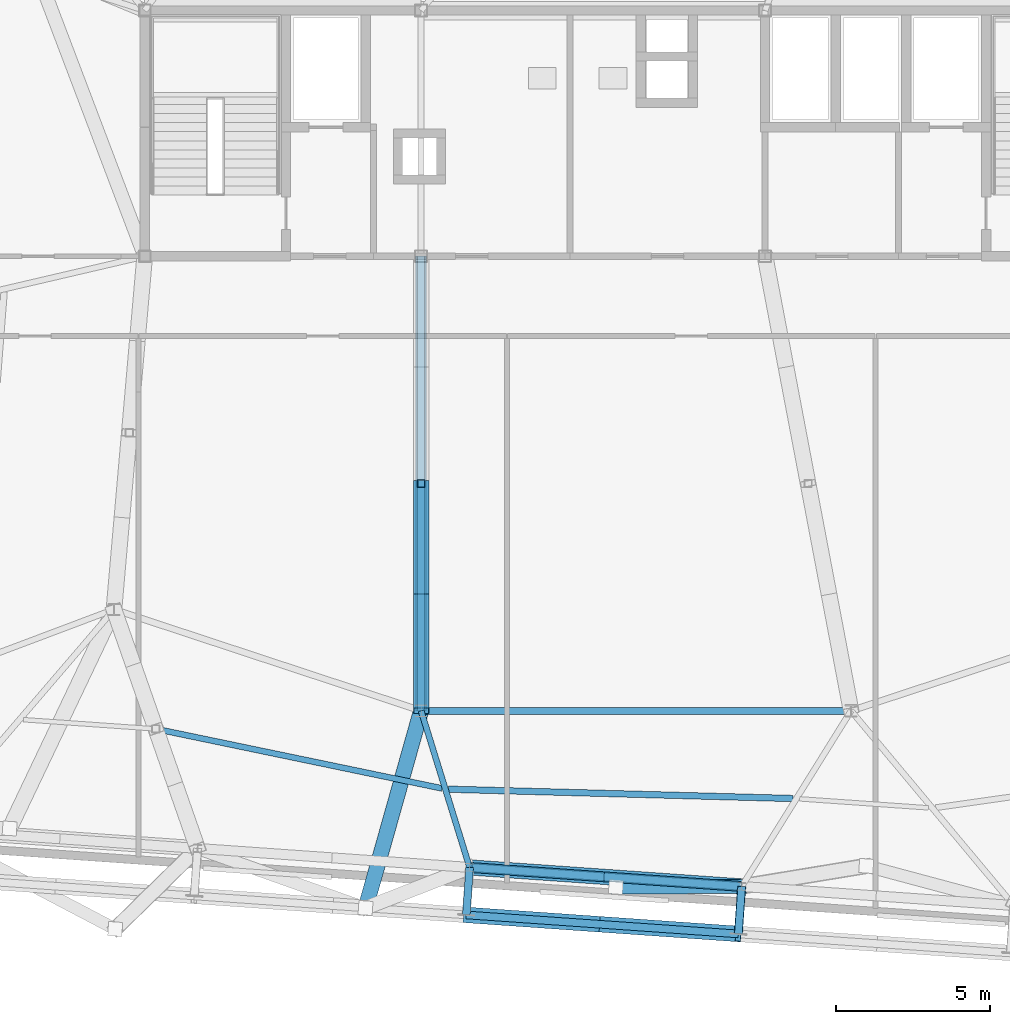
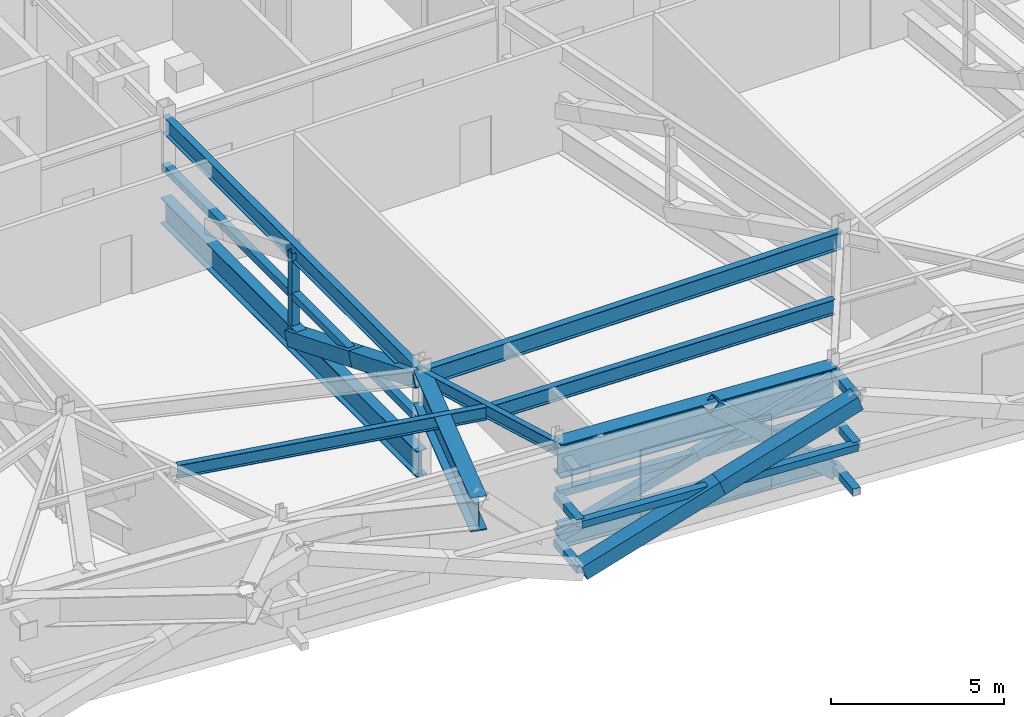
# One storey, part 7 of 24: 19 members, 7 beams.
"""IFC4 building model written with IfcOpenShell, lengths in metres."""

from ifc_helpers import new_model, si_unit, direction, frame, origin, origin_2d, place, context, subcontext, project, spatial, hollow_rectangle, i_section, extrude, source, transform, mapped, material, material_profile, profile_set, type_object, element, save


model = new_model("IFC4")

# Units and contexts
model_context = context("Model", 3, precision=1e-05, world=origin(), true_north=direction((0.0, 1.0)))
body_context = subcontext(model_context, "Body", "Model", "MODEL_VIEW")
ifc_project = project(units=[si_unit("LENGTHUNIT", "METRE"), si_unit("AREAUNIT", "SQUARE_METRE"), si_unit("VOLUMEUNIT", "CUBIC_METRE"), si_unit("PLANEANGLEUNIT", "RADIAN"), si_unit("MASSUNIT", "GRAM", prefix="KILO")], contexts=[model_context])

# Site, building, storey
site_placement = place(None, origin())
site = spatial("IfcSite", under=ifc_project, at=site_placement, CompositionType="ELEMENT")
building_placement = place(site_placement, origin())
building = spatial("IfcBuilding", under=site, at=building_placement, Name="Taldren Reach Tower", CompositionType="ELEMENT")
storey_placement = place(building_placement, frame((0.0, 0.0, 164.5)))
storey = spatial("IfcBuildingStorey", under=building, at=storey_placement, Name="L50", CompositionType="ELEMENT", Elevation=164.5)

# Beams
ifc_material_1 = material(Name="Steel Gr 350 (350PLUS)", Category="steel")
ifc_material_profile_1 = material_profile(ifc_material_1, i_section(OverallWidth=0.22802734375, OverallDepth=0.60205078125, WebThickness=0.010498046875, FlangeThickness=0.014892578125, at=origin_2d()), Name="610UB101")
ifc_profile_set_1 = profile_set([ifc_material_profile_1], Name="Steel Gr 350 (350PLUS)")
beam_type_1 = type_object("IfcBeamType", Name="BM-UB610B", PredefinedType="BEAM", material=ifc_profile_set_1)
shared_shape_1 = source(origin(), body_context, "Body", "SweptSolid", [
    extrude(i_section(OverallWidth=0.22802734375, OverallDepth=0.60205078125, WebThickness=0.010498046875, FlangeThickness=0.014892578125, at=origin_2d()), origin(), (0.0, 0.0, 1.0), 14.0),
])
beam_1_placement = place(storey_placement, frame((28.0, 9.199951171875, 3.47900390625), z_axis=(1.0, 0.0, 0.0), x_axis=(0.0, 1.0, 0.0)))
element("IfcBeam", 1, at=beam_1_placement, inside=storey, type_object=beam_type_1, Name="Core-spine girder L50-SP11", PredefinedType="BEAM", context=body_context, shape_type="MappedRepresentation", body=[
    mapped(shared_shape_1, transform((0.0, 0.0, 0.0), scale=1.0)),
])
shared_shape_2 = source(origin(), body_context, "Body", "SweptSolid", [
    extrude(i_section(OverallWidth=0.22802734375, OverallDepth=0.60205078125, WebThickness=0.010498046875, FlangeThickness=0.014892578125, at=origin_2d()), origin(), (0.0, 0.0, 1.0), 14.800048828125),
])
beam_2_placement = place(storey_placement, frame((28.0, 24.0, 3.47900390625), z_axis=(0.0, -1.0, 0.0), x_axis=(1.0, 0.0, 0.0)))
element("IfcBeam", 2, at=beam_2_placement, inside=storey, type_object=beam_type_1, Name="Core-spine girder L50-SP14", PredefinedType="BEAM", context=body_context, shape_type="MappedRepresentation", body=[
    mapped(shared_shape_2, transform((0.0, 0.0, 0.0), scale=1.0)),
])

# Members
ifc_material_2 = material(Name="Steel Gr 350 (C350L0)", Category="steel")
ifc_material_profile_2 = material_profile(ifc_material_2, hollow_rectangle(XDim=0.25, YDim=0.25, WallThickness=0.010009765625, at=origin_2d()), Name="250x250x10.0SHS")
ifc_profile_set_2 = profile_set([ifc_material_profile_2], Name="Steel Gr 350 (C350L0)")
member_type_1 = type_object("IfcMemberType", Name="MB-POST250", PredefinedType="POST", material=ifc_profile_set_2)
shared_shape_3 = source(origin(), body_context, "Body", "SweptSolid", [
    extrude(hollow_rectangle(XDim=0.25, YDim=0.25, WallThickness=0.010009765625, at=origin_2d()), origin(), (0.0, 0.0, 1.0), 1.5048828125),
])
member_1_placement = place(storey_placement, frame((28.0, 16.60009765625, 1.955078125), z_axis=(0.0, 0.0, 1.0), x_axis=(1.0, 0.0, 0.0)))
element("IfcMember", 3, at=member_1_placement, inside=storey, type_object=member_type_1, Name="Outrigger Transfer Truss Vertical Post OT-M1 L50", PredefinedType="POST", context=body_context, shape_type="MappedRepresentation", body=[
    mapped(shared_shape_3, transform((0.0, 0.0, 0.0), scale=1.0)),
])
shared_shape_4 = source(origin(), body_context, "Body", "SweptSolid", [
    extrude(hollow_rectangle(XDim=0.25, YDim=0.25, WallThickness=0.010009765625, at=origin_2d()), origin(), (0.0, 0.0, 1.0), 1.505126953125),
])
member_2_placement = place(storey_placement, frame((28.0, 16.60009765625, 0.449951171875), z_axis=(0.0, 0.0, 1.0), x_axis=(1.0, 0.0, 0.0)))
element("IfcMember", 4, at=member_2_placement, inside=storey, type_object=member_type_1, Name="Outrigger Transfer Truss Vertical Post OT-M1 L50", PredefinedType="POST", context=body_context, shape_type="MappedRepresentation", body=[
    mapped(shared_shape_4, transform((0.0, 0.0, 0.0), scale=1.0)),
])
ifc_material_profile_3 = material_profile(ifc_material_1, i_section(OverallWidth=0.35009765625, OverallDepth=0.916015625, WebThickness=0.013916015625, FlangeThickness=0.028076171875, at=origin_2d()), Name="900WB257")
ifc_profile_set_3 = profile_set([ifc_material_profile_3], Name="Steel Gr 350 (350PLUS)")
member_type_2 = type_object("IfcMemberType", Name="MB-CH900", PredefinedType="CHORD", material=ifc_profile_set_3)
shared_shape_5 = source(origin(), body_context, "Body", "SweptSolid", [
    extrude(i_section(OverallWidth=0.35009765625, OverallDepth=0.916015625, WebThickness=0.013916015625, FlangeThickness=0.028076171875, at=origin_2d()), origin(), (0.0, 0.0, 1.0), 14.800048828125),
])
member_3_placement = place(storey_placement, frame((28.0, 24.0, 0.449951171875), z_axis=(0.0, -1.0, 0.0), x_axis=(1.0, 0.0, 0.0)))
element("IfcMember", 5, at=member_3_placement, inside=storey, type_object=member_type_2, Name="Outrigger Transfer Truss Bottom Chord OT-M1 L50", PredefinedType="CHORD", context=body_context, shape_type="MappedRepresentation", body=[
    mapped(shared_shape_5, transform((0.0, 0.0, 0.0), scale=1.0)),
])
shared_shape_6 = source(origin(), body_context, "Body", "SweptSolid", [
    extrude(hollow_rectangle(XDim=0.25, YDim=0.25, WallThickness=0.010009765625, at=origin_2d()), origin(), (0.0, 0.0, 1.0), 14.800048828125),
])
member_4_placement = place(storey_placement, frame((28.0, 24.0, 1.955078125), z_axis=(0.0, -1.0, 0.0), x_axis=(1.0, 0.0, 0.0)))
element("IfcMember", 6, at=member_4_placement, inside=storey, type_object=member_type_1, Name="Outrigger Transfer Truss Mid Chord OT-M1 L50", PredefinedType="POST", context=body_context, shape_type="MappedRepresentation", body=[
    mapped(shared_shape_6, transform((0.0, 0.0, 0.0), scale=1.0)),
])
ifc_material_3 = material(Name="Steel Gr 450 (C450L0)", Category="steel")
ifc_material_profile_4 = material_profile(ifc_material_3, hollow_rectangle(XDim=0.510009765625, YDim=0.510009765625, WallThickness=0.02001953125, at=origin_2d()), Name="510x510x20.0SHS")
ifc_profile_set_4 = profile_set([ifc_material_profile_4], Name="Steel Gr 450 (C450L0)")
member_type_3 = type_object("IfcMemberType", Name="MB-EXO508", PredefinedType="BRACE", material=ifc_profile_set_4)
shared_shape_7 = source(origin(), body_context, "Body", "SweptSolid", [
    extrude(hollow_rectangle(XDim=0.510009765625, YDim=0.510009765625, WallThickness=0.02001953125, at=origin_2d()), origin(), (0.0, 0.0, 1.0), 3.994384765625),
])
member_5_placement = place(storey_placement, frame((28.0, 12.89990234375, 1.955078125), z_axis=(0.0, -0.926311309754, 0.376759017705), x_axis=(1.0, 0.0, 0.0)))
element("IfcMember", 7, at=member_5_placement, inside=storey, type_object=member_type_3, Name="Outrigger Transfer Truss Diagonal OT-M1B L50", PredefinedType="BRACE", context=body_context, shape_type="MappedRepresentation", body=[
    mapped(shared_shape_7, transform((0.0, 0.0, 0.0), scale=1.0)),
])
shared_shape_8 = source(origin(), body_context, "Body", "SweptSolid", [
    extrude(hollow_rectangle(XDim=0.510009765625, YDim=0.510009765625, WallThickness=0.02001953125, at=origin_2d()), origin(), (0.0, 0.0, 1.0), 3.99462890625),
])
member_6_placement = place(storey_placement, frame((28.0, 16.60009765625, 0.449951171875), z_axis=(0.0, -0.926298654902, 0.376790129815), x_axis=(1.0, 0.0, 0.0)))
element("IfcMember", 8, at=member_6_placement, inside=storey, type_object=member_type_3, Name="Outrigger Transfer Truss Diagonal OT-M1B L50", PredefinedType="BRACE", context=body_context, shape_type="MappedRepresentation", body=[
    mapped(shared_shape_8, transform((0.0, 0.0, 0.0), scale=1.0)),
])
ifc_material_profile_5 = material_profile(ifc_material_3, hollow_rectangle(XDim=0.27490234375, YDim=0.27490234375, WallThickness=0.00927734375, at=origin_2d()), Name="275x275x9.3SHS")
ifc_profile_set_5 = profile_set([ifc_material_profile_5], Name="Steel Gr 450 (C450L0)")
member_type_4 = type_object("IfcMemberType", Name="MB-TIE273", PredefinedType="STRUT", material=ifc_profile_set_5)
shared_shape_9 = source(origin(), body_context, "Body", "SweptSolid", [
    extrude(hollow_rectangle(XDim=0.27490234375, YDim=0.27490234375, WallThickness=0.00927734375, at=origin_2d()), origin(), (0.0, 0.0, 1.0), 1.550048828125),
])
member_7_placement = place(storey_placement, frame((38.438720703125, 3.480224609375, 3.5), z_axis=(-0.06976957191, -0.99756313426, 0.0), x_axis=(0.99756313426, -0.06976957191, 0.0)))
element("IfcMember", 9, at=member_7_placement, inside=storey, type_object=member_type_4, Name="Exoskeleton diaphragm tie strut B3-S4 L50", PredefinedType="STRUT", context=body_context, shape_type="MappedRepresentation", body=[
    mapped(shared_shape_9, transform((0.0, 0.0, 0.0), scale=1.0)),
])
shared_shape_10 = source(origin(), body_context, "Body", "SweptSolid", [
    extrude(hollow_rectangle(XDim=0.25, YDim=0.25, WallThickness=0.010009765625, at=origin_2d()), origin(), (0.0, 0.0, 1.0), 1.550048828125),
])
for number, where, z_axis, x_axis, name in (
    (10, (29.580322265625, 4.099609375, 0.219970703125), (-0.06976957191, -0.99756313426, 0.0), (0.99756313426, -0.06976957191, 0.0), "Exoskeleton base diaphragm tie strut B3-S3 L50"),
    (11, (38.438720703125, 3.480224609375, 0.219970703125), (-0.06976957191, -0.99756313426, 0.0), (0.99756313426, -0.06976957191, 0.0), "Exoskeleton base diaphragm tie strut B3-S4 L50"),
    (12, (29.580322265625, 4.099609375, 1.860107421875), (-0.06976957191, -0.99756313426, 0.0), (0.99756313426, -0.06976957191, 0.0), "Exoskeleton mid-tier diaphragm tie B3-S3 L50"),
    (13, (38.438720703125, 3.480224609375, 1.860107421875), (-0.06976957191, -0.99756313426, 0.0), (0.99756313426, -0.06976957191, 0.0), "Exoskeleton mid-tier diaphragm tie B3-S4 L50"),
):
    element("IfcMember", number, at=place(storey_placement, frame(where, z_axis=z_axis, x_axis=x_axis)), inside=storey, type_object=member_type_1, Name=name, PredefinedType="POST", context=body_context, shape_type="MappedRepresentation", body=[
        mapped(shared_shape_10, transform((0.0, 0.0, 0.0), scale=1.0)),
    ])

# Beams
ifc_material_profile_6 = material_profile(ifc_material_1, i_section(OverallWidth=0.19091796875, OverallDepth=0.4599609375, WebThickness=0.010009765625, FlangeThickness=0.01611328125, at=origin_2d()), Name="460UB82.1")
ifc_profile_set_6 = profile_set([ifc_material_profile_6], Name="Steel Gr 350 (350PLUS)")
beam_type_2 = type_object("IfcBeamType", Name="BM-UB460A", PredefinedType="BEAM", material=ifc_profile_set_6)
shared_shape_11 = source(origin(), body_context, "Body", "SweptSolid", [
    extrude(i_section(OverallWidth=0.19091796875, OverallDepth=0.4599609375, WebThickness=0.010009765625, FlangeThickness=0.01611328125, at=origin_2d()), origin(), (0.0, 0.0, 1.0), 5.339599609375),
])
beam_3_placement = place(storey_placement, frame((28.0, 9.199951171875, 3.550048828125), z_axis=(0.295964865482, -0.955198826632, 0.0), x_axis=(0.955198826632, 0.295964865482, 0.0)))
element("IfcBeam", 14, at=beam_3_placement, inside=storey, type_object=beam_type_2, Name="Primary floor girder B3-S3 L50", PredefinedType="BEAM", context=body_context, shape_type="MappedRepresentation", body=[
    mapped(shared_shape_11, transform((0.0, 0.0, 0.0), scale=1.0)),
])
shared_shape_12 = source(origin(), body_context, "Body", "SweptSolid", [
    extrude(i_section(OverallWidth=0.19091796875, OverallDepth=0.4599609375, WebThickness=0.010009765625, FlangeThickness=0.01611328125, at=origin_2d()), origin(), (0.0, 0.0, 1.0), 9.410400390625),
])
beam_4_placement = place(storey_placement, frame((19.469970703125, 8.5869140625, 3.550048828125), z_axis=(0.97907399109, -0.20350459447, 0.0), x_axis=(0.20350459447, 0.97907399109, 0.0)))
element("IfcBeam", 15, at=beam_4_placement, inside=storey, type_object=beam_type_2, Name="Secondary floor beam B3 J2 L50", PredefinedType="BEAM", context=body_context, shape_type="MappedRepresentation", body=[
    mapped(shared_shape_12, transform((0.0, 0.0, 0.0), scale=1.0)),
])
ifc_material_profile_7 = material_profile(ifc_material_1, i_section(OverallWidth=0.208984375, OverallDepth=0.532958984375, WebThickness=0.01025390625, FlangeThickness=0.015625, at=origin_2d()), Name="530UB92.4")
ifc_profile_set_7 = profile_set([ifc_material_profile_7], Name="Steel Gr 350 (350PLUS)")
beam_type_3 = type_object("IfcBeamType", Name="BM-UB530A", PredefinedType="BEAM", material=ifc_profile_set_7)
shared_shape_13 = source(origin(), body_context, "Body", "SweptSolid", [
    extrude(i_section(OverallWidth=0.208984375, OverallDepth=0.532958984375, WebThickness=0.01025390625, FlangeThickness=0.015625, at=origin_2d()), origin(), (0.0, 0.0, 1.0), 11.221923828125),
])
beam_5_placement = place(storey_placement, frame((28.890869140625, 6.64697265625, 3.513427734375), z_axis=(0.999633109536, -0.027085906272, 0.0), x_axis=(0.027085906272, 0.999633109536, 0.0)))
element("IfcBeam", 16, at=beam_5_placement, inside=storey, type_object=beam_type_3, Name="Secondary floor beam B3 J3 L50", PredefinedType="BEAM", context=body_context, shape_type="MappedRepresentation", body=[
    mapped(shared_shape_13, transform((0.0, 0.0, 0.0), scale=1.0)),
])

# Members
shared_shape_14 = source(origin(), body_context, "Body", "SweptSolid", [
    extrude(hollow_rectangle(XDim=0.25, YDim=0.25, WallThickness=0.010009765625, at=origin_2d()), origin(), (0.0, 0.0, 1.0), 8.880126953125),
])
for number, where, z_axis, x_axis, name in (
    (17, (29.580322265625, 4.099609375, 1.955078125), (0.997564479639, -0.069750333063, 0.0), (0.069750333063, 0.997564479639, 0.0), "Belt Truss Transfer Mid Chord S3 L50"),
    (18, (29.47216796875, 2.55322265625, 1.860107421875), (0.997564479639, -0.069750333063, 0.0), (0.069750333063, 0.997564479639, 0.0), "Exoskeleton mid-height ring chord B3-S3 L50"),
):
    element("IfcMember", number, at=place(storey_placement, frame(where, z_axis=z_axis, x_axis=x_axis)), inside=storey, type_object=member_type_1, Name=name, PredefinedType="POST", context=body_context, shape_type="MappedRepresentation", body=[
        mapped(shared_shape_14, transform((0.0, 0.0, 0.0), scale=1.0)),
    ])

# Beams
ifc_material_profile_8 = material_profile(ifc_material_1, i_section(OverallWidth=0.5, OverallDepth=1.199951171875, WebThickness=0.01611328125, FlangeThickness=0.0400390625, at=origin_2d()), Name="1200WB455")
ifc_profile_set_8 = profile_set([ifc_material_profile_8], Name="Steel Gr 350 (350PLUS)")
beam_type_4 = type_object("IfcBeamType", Name="BM-WB1200", PredefinedType="BEAM", material=ifc_profile_set_8)
shared_shape_15 = source(origin(), body_context, "Body", "SweptSolid", [
    extrude(i_section(OverallWidth=0.5, OverallDepth=1.199951171875, WebThickness=0.01611328125, FlangeThickness=0.0400390625, at=origin_2d()), origin(), (0.0, 0.0, 1.0), 8.880126953125),
])
beam_6_placement = place(storey_placement, frame((29.580322265625, 4.099609375, 3.179931640625), z_axis=(0.997564479639, -0.069750333063, 0.0), x_axis=(0.069750333063, 0.997564479639, 0.0)))
element("IfcBeam", 19, at=beam_6_placement, inside=storey, type_object=beam_type_4, Name="Belt Truss Transfer Girder TG-B4-S3A on L50", PredefinedType="SPANDREL", context=body_context, shape_type="MappedRepresentation", body=[
    mapped(shared_shape_15, transform((0.0, 0.0, 0.0), scale=1.0)),
])
shared_shape_16 = source(origin(), body_context, "Body", "SweptSolid", [
    extrude(i_section(OverallWidth=0.5, OverallDepth=1.199951171875, WebThickness=0.01611328125, FlangeThickness=0.0400390625, at=origin_2d()), origin(), (0.0, 0.0, 1.0), 6.67138671875),
])
beam_7_placement = place(storey_placement, frame((28.0, 9.199951171875, 3.179931640625), z_axis=(-0.271171579948, -0.962531025073, 0.0), x_axis=(0.962531025073, -0.271171579948, 0.0)))
element("IfcBeam", 20, at=beam_7_placement, inside=storey, type_object=beam_type_4, Name="Belt Truss Transfer Girder TG-B4-S2A on L50", PredefinedType="BEAM", context=body_context, shape_type="MappedRepresentation", body=[
    mapped(shared_shape_16, transform((0.0, 0.0, 0.0), scale=1.0)),
])

# Members
ifc_material_profile_9 = material_profile(ifc_material_3, hollow_rectangle(XDim=0.4599609375, YDim=0.4599609375, WallThickness=0.01611328125, at=origin_2d()), Name="460x460x16.0SHS")
ifc_profile_set_9 = profile_set([ifc_material_profile_9], Name="Steel Gr 450 (C450L0)")
member_type_5 = type_object("IfcMemberType", Name="MB-EXO457", PredefinedType="BRACE", material=ifc_profile_set_9)
shared_shape_17 = source(origin(), body_context, "Body", "SweptSolid", [
    extrude(hollow_rectangle(XDim=0.4599609375, YDim=0.4599609375, WallThickness=0.01611328125, at=origin_2d()), origin(), (0.0, 0.0, 1.0), 5.560546875),
])
member_8_placement = place(storey_placement, frame((38.438720703125, 3.480224609375, 0.02001953125), z_axis=(-0.736707524081, -0.003117363026, 0.676204337468), x_axis=(0.004231441943, -0.999991047409, 0.0)))
element("IfcMember", 21, at=member_8_placement, inside=storey, type_object=member_type_5, Name="Outrigger Belt Truss Transfer Strut TS-B4-S3 L50", PredefinedType="BRACE", context=body_context, shape_type="MappedRepresentation", body=[
    mapped(shared_shape_17, transform((0.0, 0.0, 0.0), scale=1.0)),
])
ifc_material_profile_10 = material_profile(ifc_material_1, i_section(OverallWidth=0.300048828125, OverallDepth=0.81591796875, WebThickness=0.011962890625, FlangeThickness=0.02392578125, at=origin_2d()), Name="800WB192")
ifc_profile_set_10 = profile_set([ifc_material_profile_10], Name="Steel Gr 350 (350PLUS)")
member_type_6 = type_object("IfcMemberType", Name="MB-CH800", PredefinedType="CHORD", material=ifc_profile_set_10)
shared_shape_18 = source(origin(), body_context, "Body", "SweptSolid", [
    extrude(i_section(OverallWidth=0.300048828125, OverallDepth=0.81591796875, WebThickness=0.011962890625, FlangeThickness=0.02392578125, at=origin_2d()), origin(), (0.0, 0.0, 1.0), 8.880126953125),
])
member_9_placement = place(storey_placement, frame((29.580322265625, 4.099609375, 0.449951171875), z_axis=(0.997564479639, -0.069750333063, 0.0), x_axis=(0.069750333063, 0.997564479639, 0.0)))
element("IfcMember", 22, at=member_9_placement, inside=storey, type_object=member_type_6, Name="Belt Truss Transfer Bottom Chord S3 L50", PredefinedType="CHORD", context=body_context, shape_type="MappedRepresentation", body=[
    mapped(shared_shape_18, transform((0.0, 0.0, 0.0), scale=1.0)),
])
ifc_material_profile_11 = material_profile(ifc_material_3, hollow_rectangle(XDim=0.324951171875, YDim=0.324951171875, WallThickness=0.0126953125, at=origin_2d()), Name="325x325x12.7SHS")
ifc_profile_set_11 = profile_set([ifc_material_profile_11], Name="Steel Gr 450 (C450L0)")
member_type_7 = type_object("IfcMemberType", Name="MB-BR324", PredefinedType="BRACE", material=ifc_profile_set_11)
shared_shape_19 = source(origin(), body_context, "Body", "SweptSolid", [
    extrude(hollow_rectangle(XDim=0.324951171875, YDim=0.324951171875, WallThickness=0.0126953125, at=origin_2d()), origin(), (0.0, 0.0, 1.0), 4.688232421875),
])
member_10_placement = place(storey_placement, frame((29.580322265625, 4.099609375, 0.449951171875), z_axis=(0.944755209462, -0.066083913615, 0.321045963308), x_axis=(0.06977769246, 0.997562566276, 0.0)))
element("IfcMember", 23, at=member_10_placement, inside=storey, type_object=member_type_7, Name="Belt Truss Transfer Diagonal S3 L50", PredefinedType="BRACE", context=body_context, shape_type="MappedRepresentation", body=[
    mapped(shared_shape_19, transform((0.0, 0.0, 0.0), scale=1.0)),
])
shared_shape_20 = source(origin(), body_context, "Body", "SweptSolid", [
    extrude(hollow_rectangle(XDim=0.324951171875, YDim=0.324951171875, WallThickness=0.0126953125, at=origin_2d()), origin(), (0.0, 0.0, 1.0), 4.68798828125),
])
member_11_placement = place(storey_placement, frame((34.009521484375, 3.789794921875, 1.955078125), z_axis=(0.944774253753, -0.066033169097, 0.321000358292), x_axis=(0.069722973508, 0.997566392259, 0.0)))
element("IfcMember", 24, at=member_11_placement, inside=storey, type_object=member_type_7, Name="Belt Truss Transfer Diagonal S3 L50", PredefinedType="BRACE", context=body_context, shape_type="MappedRepresentation", body=[
    mapped(shared_shape_20, transform((0.0, 0.0, 0.0), scale=1.0)),
])
shared_shape_21 = source(origin(), body_context, "Body", "SweptSolid", [
    extrude(hollow_rectangle(XDim=0.510009765625, YDim=0.510009765625, WallThickness=0.02001953125, at=origin_2d()), origin(), (0.0, 0.0, 1.0), 4.733154296875),
])
for number, where, z_axis, x_axis, name in (
    (25, (29.47216796875, 2.55322265625, 0.219970703125), (0.93576211205, -0.065403282884, 0.346513607582), (0.069722973508, 0.997566392259, 0.0), "Exoskeleton Diagrid Brace B3-S3 L50"),
    (26, (33.9013671875, 2.24365234375, 1.860107421875), (0.935775678065, -0.065455811678, 0.346467050467), (0.06977769246, 0.997562566276, 0.0), "Exoskeleton Diagrid Brace B3-S3 L50"),
):
    element("IfcMember", number, at=place(storey_placement, frame(where, z_axis=z_axis, x_axis=x_axis)), inside=storey, type_object=member_type_3, Name=name, PredefinedType="BRACE", context=body_context, shape_type="MappedRepresentation", body=[
        mapped(shared_shape_21, transform((0.0, 0.0, 0.0), scale=1.0)),
    ])

save(model, "model.ifc")
